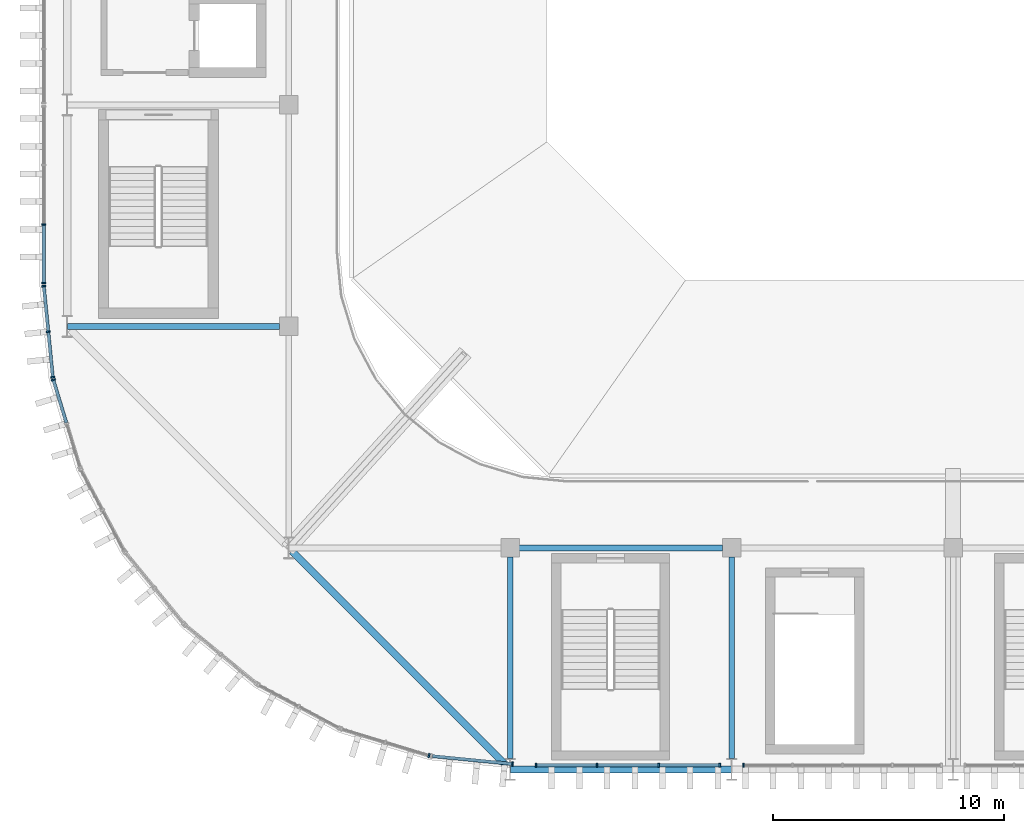
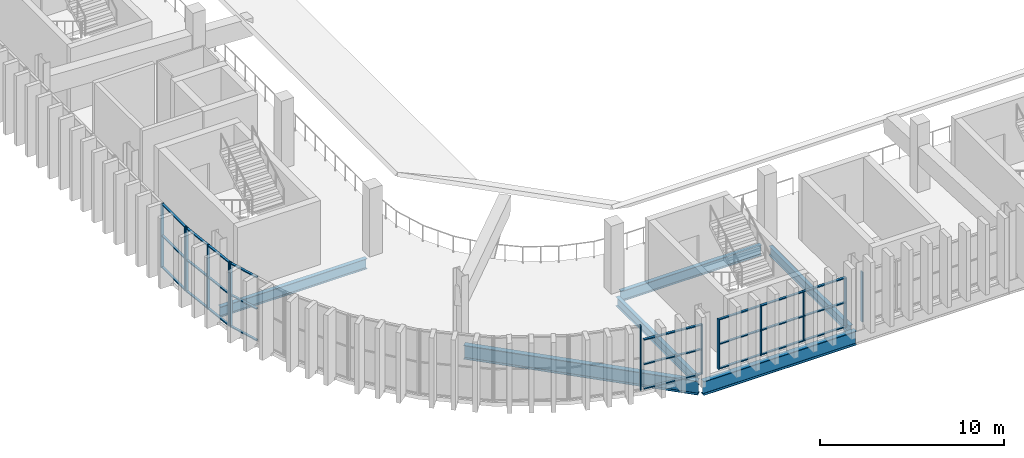
# One storey, part 13 of 69: 37 members, 6 beams, 7 elements without a shape of their own.
"""IFC4 building model written with IfcOpenShell, lengths in metres."""

import ifcopenshell
import ifcopenshell.guid

model = None  # the IFC model being written
_history = None  # IfcOwnerHistory: only IFC2X3 demands one
_inside = {}  # id of a spatial element -> (the spatial element, [elements in it])
_under = {}  # id of a project, library or spatial element -> (it, [spatial elements below it])
_declared = {}  # id of a project -> (the project, [libraries it declares])
_typed = {}  # id of a type object -> (the type object, [elements of that type])
_made_of = {}  # id of a material, layer set ... -> (it, [elements and type objects made of it])


def new_model(schema):
    """Start an empty IFC model of exactly this schema.

    Asked for "IFC4X3", IfcOpenShell would pick the latest addendum, in which some entities
    have other attributes; the version numbers below select the first issue.
    IFC2X3 requires an IfcOwnerHistory on every rooted entity: one is made here for all.
    """
    global model, _history
    if schema == "IFC4X3":
        model = ifcopenshell.file(schema_version=(4, 3, 0, 0))
    else:
        model = ifcopenshell.file(schema=schema)
    _inside.clear()
    _under.clear()
    _declared.clear()
    _typed.clear()
    _made_of.clear()
    _history = None
    if model.schema == "IFC2X3":
        org = make("IfcOrganization", Name="unknown")
        user = make(
            "IfcPersonAndOrganization",
            ThePerson=make("IfcPerson", FamilyName="unknown"),
            TheOrganization=org,
        )
        app = make(
            "IfcApplication",
            ApplicationDeveloper=org,
            Version="unknown",
            ApplicationFullName="unknown",
            ApplicationIdentifier="unknown",
        )
        _history = make(
            "IfcOwnerHistory",
            OwningUser=user,
            OwningApplication=app,
            ChangeAction="ADDED",
            CreationDate=0,
        )
    return model


def make(cls, **values):
    """One entity of the class cls with the attributes given. An attribute that is None is left unset."""
    return model.create_entity(
        cls, **{name: value for name, value in values.items() if value is not None}
    )


def rooted(cls, **values):
    """An entity with a GlobalId (a new one), such as an element, a storey or a relation."""
    return make(cls, GlobalId=ifcopenshell.guid.new(), OwnerHistory=_history, **values)


def si_unit(unit_type, name, prefix=None):
    """IfcSIUnit, for example si_unit("LENGTHUNIT", "METRE", prefix="MILLI")."""
    return make("IfcSIUnit", UnitType=unit_type, Prefix=prefix, Name=name)


def assignment(units):
    """IfcUnitAssignment: the units of a project."""
    return None if units is None else make("IfcUnitAssignment", Units=units)


def point(xyz):
    """IfcCartesianPoint."""
    return None if xyz is None else make("IfcCartesianPoint", Coordinates=xyz)


def direction(xyz):
    """IfcDirection."""
    return None if xyz is None else make("IfcDirection", DirectionRatios=xyz)


def frame(location, z_axis=None, x_axis=None):
    """IfcAxis2Placement3D, a coordinate frame: its origin and axes. An axis left out is left unset."""
    return make(
        "IfcAxis2Placement3D",
        Location=point(location),
        Axis=direction(z_axis),
        RefDirection=direction(x_axis),
    )


def frame_2d(location, x_axis=None):
    """IfcAxis2Placement2D, a coordinate frame in the plane: its origin and x axis."""
    return make(
        "IfcAxis2Placement2D", Location=point(location), RefDirection=direction(x_axis)
    )


def origin():
    """The frame at (0, 0, 0) with its axes left unset."""
    return frame((0.0, 0.0, 0.0))


def origin_2d():
    """The frame at (0, 0) in the plane with its x axis left unset."""
    return frame_2d((0.0, 0.0))


def place(relative_to, where):
    """IfcLocalPlacement: puts the frame where relative to a parent placement (None: the world)."""
    return make(
        "IfcLocalPlacement", PlacementRelTo=relative_to, RelativePlacement=where
    )


def context(
    kind, dimensions, precision=None, world=None, true_north=None, identifier=None
):
    """IfcGeometricRepresentationContext, for example the 3D "Model" context."""
    return make(
        "IfcGeometricRepresentationContext",
        ContextIdentifier=identifier,
        ContextType=kind,
        CoordinateSpaceDimension=dimensions,
        Precision=precision,
        WorldCoordinateSystem=world,
        TrueNorth=true_north,
    )


def subcontext(parent, identifier, kind, view, scale=None):
    """IfcGeometricRepresentationSubContext, for example "Body" below "Model"."""
    return make(
        "IfcGeometricRepresentationSubContext",
        ContextIdentifier=identifier,
        ContextType=kind,
        ParentContext=parent,
        TargetScale=scale,
        TargetView=view,
    )


def project(units=None, contexts=None):
    """IfcProject with its units and contexts."""
    return rooted(
        "IfcProject",
        Name="project",
        RepresentationContexts=contexts,
        UnitsInContext=assignment(units),
    )


def spatial(cls, under=None, at=None, **own):
    """A site, building, storey or space (cls), placed at a placement, below another one or the project."""
    s = rooted(cls, ObjectPlacement=at, **own)
    if under is not None:
        _under.setdefault(under.id(), (under, []))[1].append(s)
    return s


def profile(cls, at=None, kind="AREA", **sizes):
    """A parametric profile (cls). Its sizes go by their IFC names, for example OverallWidth=200.0."""
    return make(cls, ProfileType=kind, Position=at, **sizes)


def rectangle(**sizes):
    """IfcRectangleProfileDef."""
    return profile("IfcRectangleProfileDef", **sizes)


def i_section(**sizes):
    """IfcIShapeProfileDef."""
    return profile("IfcIShapeProfileDef", **sizes)


def extrude(swept, where, along, depth):
    """IfcExtrudedAreaSolid: the profile swept, set in the frame where, extruded along a direction by depth."""
    return make(
        "IfcExtrudedAreaSolid",
        SweptArea=swept,
        Position=where,
        ExtrudedDirection=direction(along),
        Depth=depth,
    )


def shape(context_of_items, identifier, shape_type, items):
    """IfcShapeRepresentation: the items that make up one representation, for example the "Body"."""
    return make(
        "IfcShapeRepresentation",
        ContextOfItems=context_of_items,
        RepresentationIdentifier=identifier,
        RepresentationType=shape_type,
        Items=items,
    )


def material(Name=None, Category=None):
    """IfcMaterial."""
    return make("IfcMaterial", Name=Name, Category=Category)


def layer(
    of_material, thickness, ventilated=None, Name=None, Category=None, Priority=None
):
    """IfcMaterialLayer: one layer of a wall or slab, of a material (None: an air gap)."""
    return make(
        "IfcMaterialLayer",
        Material=of_material,
        LayerThickness=thickness,
        IsVentilated=ventilated,
        Name=Name,
        Category=Category,
        Priority=Priority,
    )


def layer_set(layers, Name=None):
    """IfcMaterialLayerSet."""
    return make("IfcMaterialLayerSet", MaterialLayers=layers, LayerSetName=Name)


def material_profile(
    of_material, cross_section, Name=None, Category=None, Priority=None
):
    """IfcMaterialProfile: a cross section and its material."""
    return make(
        "IfcMaterialProfile",
        Name=Name,
        Material=of_material,
        Profile=cross_section,
        Priority=Priority,
        Category=Category,
    )


def profile_set(profiles, Name=None, composite=None):
    """IfcMaterialProfileSet."""
    return make(
        "IfcMaterialProfileSet",
        Name=Name,
        MaterialProfiles=profiles,
        CompositeProfile=composite,
    )


def made_of(thing, what):
    """Note that an element or type object is made of a material, layer set ...; save() writes the relation."""
    if what is not None:
        _made_of.setdefault(what.id(), (what, []))[1].append(thing)
    return thing


def type_object(cls, material=None, **own):
    """A type object (cls), such as IfcWallType, which elements share."""
    return made_of(rooted(cls, **own), material)


def element(
    cls,
    number,
    at=None,
    inside=None,
    cuts=None,
    type_object=None,
    material=None,
    context=None,
    identifier="Body",
    shape_type=None,
    held_by="IfcProductDefinitionShape",
    body=None,
    shapes=None,
    **own,
):
    """One element of the class cls, such as IfcWall. Its Tag is "e" and its number.

    at: its placement. inside: the storey or other place that contains it. cuts: it is an
    opening in that element (IfcRelVoidsElement). A single representation is given by context,
    identifier, shape_type and body (its items); several are given by shapes. held_by: the class
    of the entity that holds the representations. save() writes the other relations.
    """
    e = rooted(cls, Tag="e%d" % number, ObjectPlacement=at, **own)
    if body is not None:
        shapes = [shape(context, identifier, shape_type, body)]
    if shapes is not None:
        e.Representation = make(held_by, Representations=shapes)
    if inside is not None:
        _inside.setdefault(inside.id(), (inside, []))[1].append(e)
    if cuts is not None:
        rooted(
            "IfcRelVoidsElement", RelatingBuildingElement=cuts, RelatedOpeningElement=e
        )
    if type_object is not None:
        _typed.setdefault(type_object.id(), (type_object, []))[1].append(e)
    return made_of(e, material)


def aggregate(whole, parts):
    """IfcRelAggregates: a whole, such as a stair, and the parts it consists of."""
    return rooted("IfcRelAggregates", RelatingObject=whole, RelatedObjects=parts)


def save(model, path):
    """Write the relations noted so far, then the file.

    IfcRelAggregates (storeys below a building ...), IfcRelContainedInSpatialStructure (elements
    in a storey), IfcRelDefinesByType, IfcRelAssociatesMaterial and IfcRelDeclares: one each for
    every whole, place, type object, material and project.
    """
    for whole, parts in _under.values():
        aggregate(whole, parts)
    for where, things in _inside.values():
        rooted(
            "IfcRelContainedInSpatialStructure",
            RelatedElements=things,
            RelatingStructure=where,
        )
    for kind, things in _typed.values():
        rooted("IfcRelDefinesByType", RelatedObjects=things, RelatingType=kind)
    for what, things in _made_of.values():
        rooted("IfcRelAssociatesMaterial", RelatedObjects=things, RelatingMaterial=what)
    for by, libraries in _declared.values():
        rooted("IfcRelDeclares", RelatingContext=by, RelatedDefinitions=libraries)
    model.write(path)


model = new_model("IFC4")

# Units and contexts
model_context = context("Model", 3, precision=1e-05, world=origin(), true_north=direction((0.0, 1.0)))
body_context = subcontext(model_context, "Body", "Model", "MODEL_VIEW")
ifc_project = project(units=[si_unit("LENGTHUNIT", "METRE"), si_unit("AREAUNIT", "SQUARE_METRE"), si_unit("VOLUMEUNIT", "CUBIC_METRE"), si_unit("PLANEANGLEUNIT", "RADIAN"), si_unit("MASSUNIT", "GRAM", prefix="KILO")], contexts=[model_context])

# Site, building, storey
site_placement = place(None, origin())
site = spatial("IfcSite", under=ifc_project, at=site_placement, CompositionType="ELEMENT")
building_placement = place(site_placement, origin())
building = spatial("IfcBuilding", under=site, at=building_placement, Name="Caelomonte Colonnade Arena", CompositionType="ELEMENT")
storey_placement = place(building_placement, frame((0.0, 0.0, 18.60009765625)))
storey = spatial("IfcBuildingStorey", under=building, at=storey_placement, Name="L04", CompositionType="ELEMENT", Elevation=18.60009765625)

# Curtain wall, member
ifc_material_1 = material(Name="Bronze anodised aluminium and low-E glazing", Category="aluminium")
ifc_layer_1 = layer(ifc_material_1, 0.179931640625)
ifc_layer_set_1 = layer_set([ifc_layer_1], Name="Bronze anodised aluminium and low-E glazing")
curtain_wall_type_1 = type_object("IfcCurtainWallType", Name="ENV-CW-CW-L04-44-42", PredefinedType="USERDEFINED", material=ifc_layer_set_1)
curtain_wall_1_placement = place(storey_placement, origin())
curtain_wall_1 = element("IfcCurtainWall", 1, at=curtain_wall_1_placement, inside=storey, type_object=curtain_wall_type_1, Name="L04 unitized curtain wall CW-L04-0714-0204", ObjectType="UNITIZED CURTAIN WALL", PredefinedType="USERDEFINED")
ifc_material_2 = material(Name="Bronze anodised aluminium AA6063-T6", Category="aluminium")
ifc_material_profile_1 = material_profile(ifc_material_2, rectangle(XDim=0.070068359375, YDim=0.179931640625, at=origin_2d()), Name="CWM-70X180")
ifc_profile_set_1 = profile_set([ifc_material_profile_1], Name="Bronze anodised aluminium AA6063-T6")
member_type_1 = type_object("IfcMemberType", Name="ENV-CW-MULL1", PredefinedType="MULLION", material=ifc_profile_set_1)
member_1_placement = place(storey_placement, frame((73.28369140625, 19.797607421875, 0.0), z_axis=(0.0, 0.0, 1.0), x_axis=(0.956949160999, -0.290255582655, 0.0)))
member_1 = element("IfcMember", 2, at=member_1_placement, type_object=member_type_1, Name="CW-L04-44-42 mullion 3", PredefinedType="MULLION", context=body_context, shape_type="SweptSolid", body=[
    extrude(rectangle(XDim=0.070068359375, YDim=0.179931640625, at=origin_2d()), origin(), (0.0, 0.0, 1.0), 4.239990234375),
])
aggregate(curtain_wall_1, [member_1])

ifc_layer_2 = layer(ifc_material_1, 0.179931640625)
ifc_layer_set_2 = layer_set([ifc_layer_2], Name="Bronze anodised aluminium and low-E glazing")
curtain_wall_type_2 = type_object("IfcCurtainWallType", Name="ENV-CW-CW-L04-42-33", PredefinedType="USERDEFINED", material=ifc_layer_set_2)
curtain_wall_2_placement = place(storey_placement, origin())
curtain_wall_2 = element("IfcCurtainWall", 3, at=curtain_wall_2_placement, inside=storey, type_object=curtain_wall_type_2, Name="L04 unitized curtain wall CW-L04-0753-0196", ObjectType="UNITIZED CURTAIN WALL", PredefinedType="USERDEFINED")
member_2_placement = place(storey_placement, frame((76.901611328125, 19.429931640625, 0.0), z_axis=(0.0, 0.0, 1.0), x_axis=(0.995184334909, -0.098021117887, 0.0)))
member_2 = element("IfcMember", 4, at=member_2_placement, type_object=member_type_1, Name="CW-L04-42-33 mullion 2", PredefinedType="MULLION", context=body_context, shape_type="SweptSolid", body=[
    extrude(rectangle(XDim=0.070068359375, YDim=0.179931640625, at=origin_2d()), origin(), (0.0, 0.0, 1.0), 3.312744140625),
])

# Curtain wall, members
ifc_layer_3 = layer(ifc_material_1, 0.179931640625)
ifc_layer_set_3 = layer_set([ifc_layer_3], Name="Bronze anodised aluminium and low-E glazing")
curtain_wall_type_3 = type_object("IfcCurtainWallType", Name="ENV-CW-CW-L04-90-33", PredefinedType="USERDEFINED", material=ifc_layer_set_3)
curtain_wall_3_placement = place(storey_placement, origin())
curtain_wall_3 = element("IfcCurtainWall", 5, at=curtain_wall_3_placement, inside=storey, type_object=curtain_wall_type_3, Name="L04 unitized curtain wall CW-L04-0819-0194", ObjectType="UNITIZED CURTAIN WALL", PredefinedType="USERDEFINED")
member_3_placement = place(storey_placement, frame((77.91845703125, 19.3798828125, 0.0), z_axis=(0.0, 0.0, 1.0), x_axis=(1.0, 0.0, 0.0)))
member_3 = element("IfcMember", 6, at=member_3_placement, type_object=member_type_1, Name="CW-L04-90-33 mullion 1", PredefinedType="MULLION", context=body_context, shape_type="SweptSolid", body=[
    extrude(rectangle(XDim=0.070068359375, YDim=0.179931640625, at=origin_2d()), origin(), (0.0, 0.0, 1.0), 3.312744140625),
])
member_4_placement = place(storey_placement, frame((80.561279296875, 19.3798828125, 0.0), z_axis=(0.0, 0.0, 1.0), x_axis=(1.0, 0.0, 0.0)))
member_4 = element("IfcMember", 7, at=member_4_placement, type_object=member_type_1, Name="CW-L04-90-33 mullion 2", PredefinedType="MULLION", context=body_context, shape_type="SweptSolid", body=[
    extrude(rectangle(XDim=0.070068359375, YDim=0.179931640625, at=origin_2d()), origin(), (0.0, 0.0, 1.0), 3.312744140625),
])
member_5_placement = place(storey_placement, frame((83.23876953125, 19.3798828125, 0.0), z_axis=(0.0, 0.0, 1.0), x_axis=(1.0, 0.0, 0.0)))
member_5 = element("IfcMember", 8, at=member_5_placement, type_object=member_type_1, Name="CW-L04-90-33 mullion 3", PredefinedType="MULLION", context=body_context, shape_type="SweptSolid", body=[
    extrude(rectangle(XDim=0.070068359375, YDim=0.179931640625, at=origin_2d()), origin(), (0.0, 0.0, 1.0), 3.312744140625),
])
member_6_placement = place(storey_placement, frame((85.881591796875, 19.3798828125, 0.0), z_axis=(0.0, 0.0, 1.0), x_axis=(1.0, 0.0, 0.0)))
member_6 = element("IfcMember", 9, at=member_6_placement, type_object=member_type_1, Name="CW-L04-90-33 mullion 4", PredefinedType="MULLION", context=body_context, shape_type="SweptSolid", body=[
    extrude(rectangle(XDim=0.070068359375, YDim=0.179931640625, at=origin_2d()), origin(), (0.0, 0.0, 1.0), 3.312744140625),
])

# Curtain wall, member
ifc_layer_4 = layer(ifc_material_1, 0.179931640625)
ifc_layer_set_4 = layer_set([ifc_layer_4], Name="Bronze anodised aluminium and low-E glazing")
curtain_wall_type_4 = type_object("IfcCurtainWallType", Name="ENV-CW-CW-L04-96-33", PredefinedType="USERDEFINED", material=ifc_layer_set_4)
curtain_wall_4_placement = place(storey_placement, origin())
curtain_wall_4 = element("IfcCurtainWall", 10, at=curtain_wall_4_placement, inside=storey, type_object=curtain_wall_type_4, Name="L04 unitized curtain wall CW-L04-0912-0194", ObjectType="UNITIZED CURTAIN WALL", PredefinedType="USERDEFINED")
member_7_placement = place(storey_placement, frame((86.91845703125, 19.3798828125, 0.0), z_axis=(0.0, 0.0, 1.0), x_axis=(1.0, 0.0, 0.0)))
member_7 = element("IfcMember", 11, at=member_7_placement, type_object=member_type_1, Name="CW-L04-96-33 mullion 1", PredefinedType="MULLION", context=body_context, shape_type="SweptSolid", body=[
    extrude(rectangle(XDim=0.070068359375, YDim=0.179931640625, at=origin_2d()), origin(), (0.0, 0.0, 1.0), 3.312744140625),
])
aggregate(curtain_wall_4, [member_7])

# Curtain wall, members
ifc_layer_5 = layer(ifc_material_1, 0.179931640625)
ifc_layer_set_5 = layer_set([ifc_layer_5], Name="Bronze anodised aluminium and low-E glazing")
curtain_wall_type_5 = type_object("IfcCurtainWallType", Name="ENV-CW-CW-L04-79-42", PredefinedType="USERDEFINED", material=ifc_layer_set_5)
curtain_wall_5_placement = place(storey_placement, origin())
curtain_wall_5 = element("IfcCurtainWall", 12, at=curtain_wall_5_placement, inside=storey, type_object=curtain_wall_type_5, Name="L04 unitized curtain wall CW-L04-0566-0440", ObjectType="UNITIZED CURTAIN WALL", PredefinedType="USERDEFINED")
member_8_placement = place(storey_placement, frame((56.580078125, 42.813232421875, 0.0), z_axis=(0.0, 0.0, 1.0), x_axis=(0.0, -1.0, 0.0)))
member_8 = element("IfcMember", 13, at=member_8_placement, type_object=member_type_1, Name="CW-L04-79-42 mullion 3", PredefinedType="MULLION", context=body_context, shape_type="SweptSolid", body=[
    extrude(rectangle(XDim=0.070068359375, YDim=0.179931640625, at=origin_2d()), origin(), (0.0, 0.0, 1.0), 4.239990234375),
])
member_9_placement = place(storey_placement, frame((56.580078125, 40.27490234375, 0.0), z_axis=(0.0, 0.0, 1.0), x_axis=(0.0, -1.0, 0.0)))
member_9 = element("IfcMember", 14, at=member_9_placement, type_object=member_type_1, Name="CW-L04-79-42 mullion 4", PredefinedType="MULLION", context=body_context, shape_type="SweptSolid", body=[
    extrude(rectangle(XDim=0.070068359375, YDim=0.179931640625, at=origin_2d()), origin(), (0.0, 0.0, 1.0), 4.239990234375),
])

curtain_wall_6_placement = place(storey_placement, origin())
curtain_wall_6 = element("IfcCurtainWall", 15, at=curtain_wall_6_placement, inside=storey, type_object=curtain_wall_type_1, Name="L04 unitized curtain wall CW-L04-0568-0382", ObjectType="UNITIZED CURTAIN WALL", PredefinedType="USERDEFINED")
member_10_placement = place(storey_placement, frame((56.58642578125, 40.14306640625, 0.0), z_axis=(0.0, 0.0, 1.0), x_axis=(0.098002498041, -0.995186168703, 0.0)))
member_10 = element("IfcMember", 16, at=member_10_placement, type_object=member_type_1, Name="CW-L04-44-42 mullion 1", PredefinedType="MULLION", context=body_context, shape_type="SweptSolid", body=[
    extrude(rectangle(XDim=0.070068359375, YDim=0.179931640625, at=origin_2d()), origin(), (0.0, 0.0, 1.0), 4.239990234375),
])
member_11_placement = place(storey_placement, frame((56.781005859375, 38.169189453125, 0.0), z_axis=(0.0, 0.0, 1.0), x_axis=(0.098002498041, -0.995186168703, 0.0)))
member_11 = element("IfcMember", 17, at=member_11_placement, type_object=member_type_1, Name="CW-L04-44-42 mullion 2", PredefinedType="MULLION", context=body_context, shape_type="SweptSolid", body=[
    extrude(rectangle(XDim=0.070068359375, YDim=0.179931640625, at=origin_2d()), origin(), (0.0, 0.0, 1.0), 4.239990234375),
])
member_12_placement = place(storey_placement, frame((56.975341796875, 36.1953125, 0.0), z_axis=(0.0, 0.0, 1.0), x_axis=(0.098002498041, -0.995186168703, 0.0)))
member_12 = element("IfcMember", 18, at=member_12_placement, type_object=member_type_1, Name="CW-L04-44-42 mullion 3", PredefinedType="MULLION", context=body_context, shape_type="SweptSolid", body=[
    extrude(rectangle(XDim=0.070068359375, YDim=0.179931640625, at=origin_2d()), origin(), (0.0, 0.0, 1.0), 4.239990234375),
])

# Curtain wall, member
curtain_wall_7_placement = place(storey_placement, origin())
curtain_wall_7 = element("IfcCurtainWall", 19, at=curtain_wall_7_placement, inside=storey, type_object=curtain_wall_type_1, Name="L04 unitized curtain wall CW-L04-0576-0342", ObjectType="UNITIZED CURTAIN WALL", PredefinedType="USERDEFINED")
member_13_placement = place(storey_placement, frame((56.99755859375, 36.08349609375, 0.0), z_axis=(0.0, 0.0, 1.0), x_axis=(0.290255582655, -0.956949160999, 0.0)))
member_13 = element("IfcMember", 20, at=member_13_placement, type_object=member_type_1, Name="CW-L04-44-42 mullion 1", PredefinedType="MULLION", context=body_context, shape_type="SweptSolid", body=[
    extrude(rectangle(XDim=0.070068359375, YDim=0.179931640625, at=origin_2d()), origin(), (0.0, 0.0, 1.0), 4.239990234375),
])

# Member
ifc_material_profile_2 = material_profile(ifc_material_2, rectangle(XDim=0.070068359375, YDim=0.139892578125, at=origin_2d()), Name="CWT-70X140")
ifc_profile_set_2 = profile_set([ifc_material_profile_2], Name="Bronze anodised aluminium AA6063-T6")
member_type_2 = type_object("IfcMemberType", Name="ENV-CW-TRAN1", PredefinedType="USERDEFINED", material=ifc_profile_set_2)
member_14_placement = place(storey_placement, frame((73.43017578125, 19.771728515625, 0.034912109375), z_axis=(0.995187243537, -0.097991582804, 0.0), x_axis=(0.0, 0.0, 1.0)))
member_14 = element("IfcMember", 21, at=member_14_placement, type_object=member_type_2, Name="CW-L04-42-33 transom 1.1", ObjectType="TRANSOM", PredefinedType="USERDEFINED", context=body_context, shape_type="SweptSolid", body=[
    extrude(rectangle(XDim=0.070068359375, YDim=0.139892578125, at=origin_2d()), origin(), (0.0, 0.0, 1.0), 3.453125),
])

member_15_placement = place(storey_placement, frame((73.43017578125, 19.771728515625, 1.65625), z_axis=(0.995187243537, -0.097991582804, 0.0), x_axis=(0.0, 0.0, 1.0)))
member_15 = element("IfcMember", 22, at=member_15_placement, type_object=member_type_2, Name="CW-L04-42-33 transom 1.2", ObjectType="TRANSOM", PredefinedType="USERDEFINED", context=body_context, shape_type="SweptSolid", body=[
    extrude(rectangle(XDim=0.070068359375, YDim=0.139892578125, at=origin_2d()), origin(), (0.0, 0.0, 1.0), 3.453125),
])

member_16_placement = place(storey_placement, frame((73.43017578125, 19.771728515625, 3.277587890625), z_axis=(0.995187243537, -0.097991582804, 0.0), x_axis=(0.0, 0.0, 1.0)))
member_16 = element("IfcMember", 23, at=member_16_placement, type_object=member_type_2, Name="CW-L04-42-33 transom 1.3", ObjectType="TRANSOM", PredefinedType="USERDEFINED", context=body_context, shape_type="SweptSolid", body=[
    extrude(rectangle(XDim=0.070068359375, YDim=0.139892578125, at=origin_2d()), origin(), (0.0, 0.0, 1.0), 3.453125),
])

aggregate(curtain_wall_2, [member_2, member_14, member_15, member_16])

member_17_placement = place(storey_placement, frame((77.95361328125, 19.3798828125, 0.034912109375), z_axis=(1.0, 0.0, 0.0), x_axis=(0.0, 0.0, 1.0)))
member_17 = element("IfcMember", 24, at=member_17_placement, type_object=member_type_2, Name="CW-L04-90-33 transom 1.1", ObjectType="TRANSOM", PredefinedType="USERDEFINED", context=body_context, shape_type="SweptSolid", body=[
    extrude(rectangle(XDim=0.070068359375, YDim=0.139892578125, at=origin_2d()), origin(), (0.0, 0.0, 1.0), 2.572509765625),
])

member_18_placement = place(storey_placement, frame((77.95361328125, 19.3798828125, 1.65625), z_axis=(1.0, 0.0, 0.0), x_axis=(0.0, 0.0, 1.0)))
member_18 = element("IfcMember", 25, at=member_18_placement, type_object=member_type_2, Name="CW-L04-90-33 transom 1.2", ObjectType="TRANSOM", PredefinedType="USERDEFINED", context=body_context, shape_type="SweptSolid", body=[
    extrude(rectangle(XDim=0.070068359375, YDim=0.139892578125, at=origin_2d()), origin(), (0.0, 0.0, 1.0), 2.572509765625),
])

member_19_placement = place(storey_placement, frame((77.95361328125, 19.3798828125, 3.277587890625), z_axis=(1.0, 0.0, 0.0), x_axis=(0.0, 0.0, 1.0)))
member_19 = element("IfcMember", 26, at=member_19_placement, type_object=member_type_2, Name="CW-L04-90-33 transom 1.3", ObjectType="TRANSOM", PredefinedType="USERDEFINED", context=body_context, shape_type="SweptSolid", body=[
    extrude(rectangle(XDim=0.070068359375, YDim=0.139892578125, at=origin_2d()), origin(), (0.0, 0.0, 1.0), 2.572509765625),
])

member_20_placement = place(storey_placement, frame((80.59619140625, 19.3798828125, 0.034912109375), z_axis=(1.0, 0.0, 0.0), x_axis=(0.0, 0.0, 1.0)))
member_20 = element("IfcMember", 27, at=member_20_placement, type_object=member_type_2, Name="CW-L04-90-33 transom 2.1", ObjectType="TRANSOM", PredefinedType="USERDEFINED", context=body_context, shape_type="SweptSolid", body=[
    extrude(rectangle(XDim=0.070068359375, YDim=0.139892578125, at=origin_2d()), origin(), (0.0, 0.0, 1.0), 2.607666015625),
])

member_21_placement = place(storey_placement, frame((80.59619140625, 19.3798828125, 1.65625), z_axis=(1.0, 0.0, 0.0), x_axis=(0.0, 0.0, 1.0)))
member_21 = element("IfcMember", 28, at=member_21_placement, type_object=member_type_2, Name="CW-L04-90-33 transom 2.2", ObjectType="TRANSOM", PredefinedType="USERDEFINED", context=body_context, shape_type="SweptSolid", body=[
    extrude(rectangle(XDim=0.070068359375, YDim=0.139892578125, at=origin_2d()), origin(), (0.0, 0.0, 1.0), 2.607666015625),
])

member_22_placement = place(storey_placement, frame((80.59619140625, 19.3798828125, 3.277587890625), z_axis=(1.0, 0.0, 0.0), x_axis=(0.0, 0.0, 1.0)))
member_22 = element("IfcMember", 29, at=member_22_placement, type_object=member_type_2, Name="CW-L04-90-33 transom 2.3", ObjectType="TRANSOM", PredefinedType="USERDEFINED", context=body_context, shape_type="SweptSolid", body=[
    extrude(rectangle(XDim=0.070068359375, YDim=0.139892578125, at=origin_2d()), origin(), (0.0, 0.0, 1.0), 2.607666015625),
])

member_23_placement = place(storey_placement, frame((83.27392578125, 19.3798828125, 0.034912109375), z_axis=(1.0, 0.0, 0.0), x_axis=(0.0, 0.0, 1.0)))
member_23 = element("IfcMember", 30, at=member_23_placement, type_object=member_type_2, Name="CW-L04-90-33 transom 3.1", ObjectType="TRANSOM", PredefinedType="USERDEFINED", context=body_context, shape_type="SweptSolid", body=[
    extrude(rectangle(XDim=0.070068359375, YDim=0.139892578125, at=origin_2d()), origin(), (0.0, 0.0, 1.0), 2.572509765625),
])

member_24_placement = place(storey_placement, frame((83.27392578125, 19.3798828125, 1.65625), z_axis=(1.0, 0.0, 0.0), x_axis=(0.0, 0.0, 1.0)))
member_24 = element("IfcMember", 31, at=member_24_placement, type_object=member_type_2, Name="CW-L04-90-33 transom 3.2", ObjectType="TRANSOM", PredefinedType="USERDEFINED", context=body_context, shape_type="SweptSolid", body=[
    extrude(rectangle(XDim=0.070068359375, YDim=0.139892578125, at=origin_2d()), origin(), (0.0, 0.0, 1.0), 2.572509765625),
])

member_25_placement = place(storey_placement, frame((83.27392578125, 19.3798828125, 3.277587890625), z_axis=(1.0, 0.0, 0.0), x_axis=(0.0, 0.0, 1.0)))
member_25 = element("IfcMember", 32, at=member_25_placement, type_object=member_type_2, Name="CW-L04-90-33 transom 3.3", ObjectType="TRANSOM", PredefinedType="USERDEFINED", context=body_context, shape_type="SweptSolid", body=[
    extrude(rectangle(XDim=0.070068359375, YDim=0.139892578125, at=origin_2d()), origin(), (0.0, 0.0, 1.0), 2.572509765625),
])

aggregate(curtain_wall_3, [member_3, member_4, member_5, member_6, member_17, member_18, member_19, member_20, member_21, member_22, member_23, member_24, member_25])

member_26_placement = place(storey_placement, frame((56.580078125, 42.7783203125, 0.034912109375), z_axis=(0.0, -1.0, 0.0), x_axis=(0.0, 0.0, 1.0)))
member_26 = element("IfcMember", 33, at=member_26_placement, type_object=member_type_2, Name="CW-L04-79-42 transom 3.1", ObjectType="TRANSOM", PredefinedType="USERDEFINED", context=body_context, shape_type="SweptSolid", body=[
    extrude(rectangle(XDim=0.070068359375, YDim=0.139892578125, at=origin_2d()), origin(), (0.0, 0.0, 1.0), 2.46826171875),
])

member_27_placement = place(storey_placement, frame((56.580078125, 42.7783203125, 2.119873046875), z_axis=(0.0, -1.0, 0.0), x_axis=(0.0, 0.0, 1.0)))
member_27 = element("IfcMember", 34, at=member_27_placement, type_object=member_type_2, Name="CW-L04-79-42 transom 3.2", ObjectType="TRANSOM", PredefinedType="USERDEFINED", context=body_context, shape_type="SweptSolid", body=[
    extrude(rectangle(XDim=0.070068359375, YDim=0.139892578125, at=origin_2d()), origin(), (0.0, 0.0, 1.0), 2.46826171875),
])

member_28_placement = place(storey_placement, frame((56.580078125, 42.7783203125, 4.204833984375), z_axis=(0.0, -1.0, 0.0), x_axis=(0.0, 0.0, 1.0)))
member_28 = element("IfcMember", 35, at=member_28_placement, type_object=member_type_2, Name="CW-L04-79-42 transom 3.3", ObjectType="TRANSOM", PredefinedType="USERDEFINED", context=body_context, shape_type="SweptSolid", body=[
    extrude(rectangle(XDim=0.070068359375, YDim=0.139892578125, at=origin_2d()), origin(), (0.0, 0.0, 1.0), 2.46826171875),
])

aggregate(curtain_wall_5, [member_8, member_9, member_26, member_27, member_28])

member_29_placement = place(storey_placement, frame((56.58984375, 40.108154296875, 0.034912109375), z_axis=(0.098126524604, -0.995173947192, 0.0), x_axis=(0.0, 0.0, 1.0)))
member_29 = element("IfcMember", 36, at=member_29_placement, type_object=member_type_2, Name="CW-L04-44-42 transom 1.1", ObjectType="TRANSOM", PredefinedType="USERDEFINED", context=body_context, shape_type="SweptSolid", body=[
    extrude(rectangle(XDim=0.070068359375, YDim=0.139892578125, at=origin_2d()), origin(), (0.0, 0.0, 1.0), 1.913330078125),
])

member_30_placement = place(storey_placement, frame((56.58984375, 40.108154296875, 2.119873046875), z_axis=(0.098126524604, -0.995173947192, 0.0), x_axis=(0.0, 0.0, 1.0)))
member_30 = element("IfcMember", 37, at=member_30_placement, type_object=member_type_2, Name="CW-L04-44-42 transom 1.2", ObjectType="TRANSOM", PredefinedType="USERDEFINED", context=body_context, shape_type="SweptSolid", body=[
    extrude(rectangle(XDim=0.070068359375, YDim=0.139892578125, at=origin_2d()), origin(), (0.0, 0.0, 1.0), 1.913330078125),
])

member_31_placement = place(storey_placement, frame((56.58984375, 40.108154296875, 4.204833984375), z_axis=(0.098126524604, -0.995173947192, 0.0), x_axis=(0.0, 0.0, 1.0)))
member_31 = element("IfcMember", 38, at=member_31_placement, type_object=member_type_2, Name="CW-L04-44-42 transom 1.3", ObjectType="TRANSOM", PredefinedType="USERDEFINED", context=body_context, shape_type="SweptSolid", body=[
    extrude(rectangle(XDim=0.070068359375, YDim=0.139892578125, at=origin_2d()), origin(), (0.0, 0.0, 1.0), 1.913330078125),
])

member_32_placement = place(storey_placement, frame((56.784423828125, 38.13427734375, 0.034912109375), z_axis=(0.098000148132, -0.995186400111, 0.0), x_axis=(0.0, 0.0, 1.0)))
member_32 = element("IfcMember", 39, at=member_32_placement, type_object=member_type_2, Name="CW-L04-44-42 transom 2.1", ObjectType="TRANSOM", PredefinedType="USERDEFINED", context=body_context, shape_type="SweptSolid", body=[
    extrude(rectangle(XDim=0.070068359375, YDim=0.139892578125, at=origin_2d()), origin(), (0.0, 0.0, 1.0), 1.913330078125),
])

member_33_placement = place(storey_placement, frame((56.784423828125, 38.13427734375, 2.119873046875), z_axis=(0.098000148132, -0.995186400111, 0.0), x_axis=(0.0, 0.0, 1.0)))
member_33 = element("IfcMember", 40, at=member_33_placement, type_object=member_type_2, Name="CW-L04-44-42 transom 2.2", ObjectType="TRANSOM", PredefinedType="USERDEFINED", context=body_context, shape_type="SweptSolid", body=[
    extrude(rectangle(XDim=0.070068359375, YDim=0.139892578125, at=origin_2d()), origin(), (0.0, 0.0, 1.0), 1.913330078125),
])

member_34_placement = place(storey_placement, frame((56.784423828125, 38.13427734375, 4.204833984375), z_axis=(0.098000148132, -0.995186400111, 0.0), x_axis=(0.0, 0.0, 1.0)))
member_34 = element("IfcMember", 41, at=member_34_placement, type_object=member_type_2, Name="CW-L04-44-42 transom 2.3", ObjectType="TRANSOM", PredefinedType="USERDEFINED", context=body_context, shape_type="SweptSolid", body=[
    extrude(rectangle(XDim=0.070068359375, YDim=0.139892578125, at=origin_2d()), origin(), (0.0, 0.0, 1.0), 1.913330078125),
])

aggregate(curtain_wall_6, [member_10, member_11, member_12, member_29, member_30, member_31, member_32, member_33, member_34])

member_35_placement = place(storey_placement, frame((57.0078125, 36.050048828125, 0.034912109375), z_axis=(0.29015613003, -0.956979320678, 0.0), x_axis=(0.0, 0.0, 1.0)))
member_35 = element("IfcMember", 42, at=member_35_placement, type_object=member_type_2, Name="CW-L04-44-42 transom 1.1", ObjectType="TRANSOM", PredefinedType="USERDEFINED", context=body_context, shape_type="SweptSolid", body=[
    extrude(rectangle(XDim=0.070068359375, YDim=0.139892578125, at=origin_2d()), origin(), (0.0, 0.0, 1.0), 1.913330078125),
])

member_36_placement = place(storey_placement, frame((57.0078125, 36.050048828125, 2.119873046875), z_axis=(0.29015613003, -0.956979320678, 0.0), x_axis=(0.0, 0.0, 1.0)))
member_36 = element("IfcMember", 43, at=member_36_placement, type_object=member_type_2, Name="CW-L04-44-42 transom 1.2", ObjectType="TRANSOM", PredefinedType="USERDEFINED", context=body_context, shape_type="SweptSolid", body=[
    extrude(rectangle(XDim=0.070068359375, YDim=0.139892578125, at=origin_2d()), origin(), (0.0, 0.0, 1.0), 1.913330078125),
])

member_37_placement = place(storey_placement, frame((57.0078125, 36.050048828125, 4.204833984375), z_axis=(0.29015613003, -0.956979320678, 0.0), x_axis=(0.0, 0.0, 1.0)))
member_37 = element("IfcMember", 44, at=member_37_placement, type_object=member_type_2, Name="CW-L04-44-42 transom 1.3", ObjectType="TRANSOM", PredefinedType="USERDEFINED", context=body_context, shape_type="SweptSolid", body=[
    extrude(rectangle(XDim=0.070068359375, YDim=0.139892578125, at=origin_2d()), origin(), (0.0, 0.0, 1.0), 1.913330078125),
])

aggregate(curtain_wall_7, [member_13, member_35, member_36, member_37])

# Beams
ifc_material_3 = material(Name="Wide-flange steel ASTM A992 Grade 50", Category="steel")
ifc_material_profile_3 = material_profile(ifc_material_3, i_section(OverallWidth=0.307861328125, OverallDepth=0.927001953125, WebThickness=0.019287109375, FlangeThickness=0.031982421875, FilletRadius=0.020263671875, at=origin_2d()), Name="W36X194")
ifc_profile_set_3 = profile_set([ifc_material_profile_3], Name="Wide-flange steel ASTM A992 Grade 50")
beam_type_1 = type_object("IfcBeamType", Name="STR-BM-EAVES2", PredefinedType="SPANDREL", material=ifc_profile_set_3)
beam_1_placement = place(storey_placement, frame((76.81201171875, 19.199951171875, -0.7236328125), z_axis=(1.0, 0.0, 0.0), x_axis=(0.0, 1.0, 0.0)))
element("IfcBeam", 45, at=beam_1_placement, inside=storey, type_object=beam_type_1, Name="L04 girder BMX-L04-0768-0192", PredefinedType="SPANDREL", context=body_context, shape_type="SweptSolid", body=[
    extrude(i_section(OverallWidth=0.307861328125, OverallDepth=0.927001953125, WebThickness=0.019287109375, FlangeThickness=0.031982421875, FilletRadius=0.020263671875, at=origin_2d()), origin(), (0.0, 0.0, 1.0), 9.575927734375),
])
beam_2_placement = place(storey_placement, frame((67.343994140625, 28.656005859375, -0.7236328125), z_axis=(0.707106781187, -0.707106781187, 0.0), x_axis=(0.707106781187, 0.707106781187, 0.0)))
element("IfcBeam", 46, at=beam_2_placement, inside=storey, type_object=beam_type_1, Name="L04 drum corner ring girder 2", PredefinedType="SPANDREL", context=body_context, shape_type="SweptSolid", body=[
    extrude(i_section(OverallWidth=0.307861328125, OverallDepth=0.927001953125, WebThickness=0.019287109375, FlangeThickness=0.031982421875, FilletRadius=0.020263671875, at=origin_2d()), origin(), (0.0, 0.0, 1.0), 13.169189453125),
])
ifc_material_profile_4 = material_profile(ifc_material_3, i_section(OverallWidth=0.227783203125, OverallDepth=0.60205078125, WebThickness=0.010498046875, FlangeThickness=0.014892578125, FilletRadius=0.0126953125, at=origin_2d()), Name="W24X68")
ifc_profile_set_4 = profile_set([ifc_material_profile_4], Name="Wide-flange steel ASTM A992 Grade 50")
beam_type_2 = type_object("IfcBeamType", Name="STR-BM-GIRD24B", PredefinedType="SPANDREL", material=ifc_profile_set_4)
for number, where, z_axis, x_axis, name in (
    (47, (76.800048828125, 19.665771484375, -0.56103515625), (0.0, 1.0, 0.0), (-1.0, 0.0, 0.0), "L04 girder BMY-L04-0768-0192"),
    (48, (86.39990234375, 19.665771484375, -0.56103515625), (0.0, 1.0, 0.0), (-1.0, 0.0, 0.0), "L04 girder BMY-L04-0864-0192"),
):
    element("IfcBeam", number, at=place(storey_placement, frame(where, z_axis=z_axis, x_axis=x_axis)), inside=storey, type_object=beam_type_2, Name=name, PredefinedType="SPANDREL", context=body_context, shape_type="SweptSolid", body=[
        extrude(i_section(OverallWidth=0.227783203125, OverallDepth=0.60205078125, WebThickness=0.010498046875, FlangeThickness=0.014892578125, FilletRadius=0.0126953125, at=origin_2d()), origin(), (0.0, 0.0, 1.0), 8.7421875),
    ])
ifc_material_profile_5 = material_profile(ifc_material_3, i_section(OverallWidth=0.253662109375, OverallDepth=0.683349609375, WebThickness=0.012451171875, FlangeThickness=0.018798828125, FilletRadius=0.01513671875, at=origin_2d()), Name="W27X94")
ifc_profile_set_5 = profile_set([ifc_material_profile_5], Name="Wide-flange steel ASTM A992 Grade 50")
beam_type_3 = type_object("IfcBeamType", Name="STR-BM-GIRD27", PredefinedType="BEAM", material=ifc_profile_set_5)
beam_3_placement = place(storey_placement, frame((77.19189453125, 28.800048828125, -0.601806640625), z_axis=(1.0, 0.0, 0.0), x_axis=(0.0, 1.0, 0.0)))
element("IfcBeam", 49, at=beam_3_placement, inside=storey, type_object=beam_type_3, Name="L04 girder BMX-L04-0768-0288", PredefinedType="BEAM", context=body_context, shape_type="SweptSolid", body=[
    extrude(i_section(OverallWidth=0.253662109375, OverallDepth=0.683349609375, WebThickness=0.012451171875, FlangeThickness=0.018798828125, FilletRadius=0.01513671875, at=origin_2d()), origin(), (0.0, 0.0, 1.0), 8.816162109375),
])
beam_4_placement = place(storey_placement, frame((57.612060546875, 38.39990234375, -0.601806640625), z_axis=(1.0, 0.0, 0.0), x_axis=(0.0, 1.0, 0.0)))
element("IfcBeam", 50, at=beam_4_placement, inside=storey, type_object=beam_type_3, Name="L04 girder BMX-L04-0576-0384", PredefinedType="BEAM", context=body_context, shape_type="SweptSolid", body=[
    extrude(i_section(OverallWidth=0.253662109375, OverallDepth=0.683349609375, WebThickness=0.012451171875, FlangeThickness=0.018798828125, FilletRadius=0.01513671875, at=origin_2d()), origin(), (0.0, 0.0, 1.0), 9.196044921875),
])

save(model, "model.ifc")
